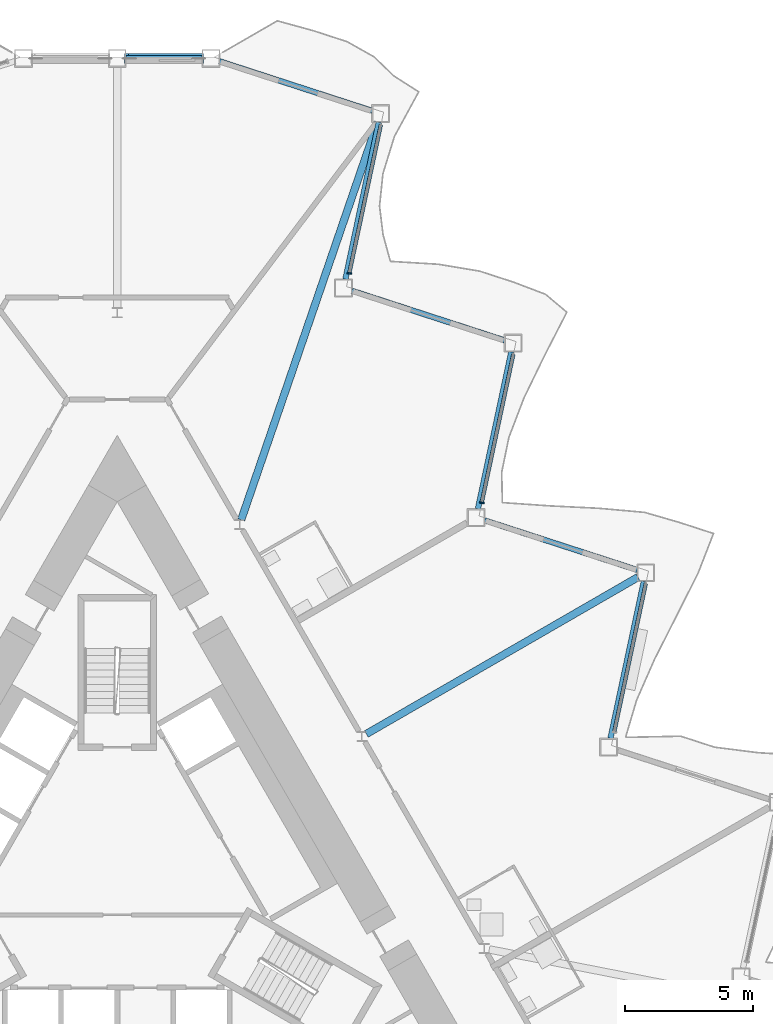
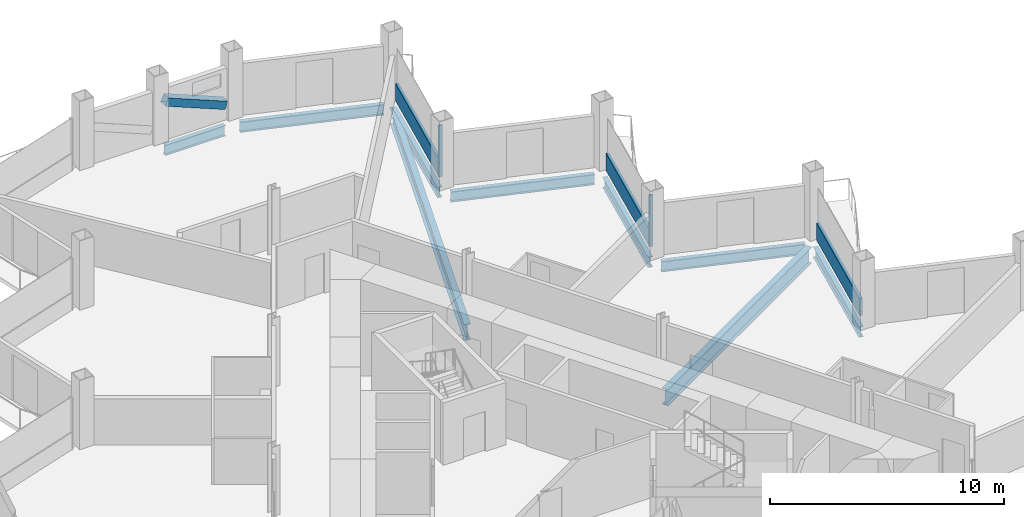
# One storey, part 9 of 24: 9 beams, 6 members, 3 elements without a shape of their own.
"""IFC4 building model written with IfcOpenShell, lengths in metres."""

from ifc_helpers import new_model, si_unit, direction, frame, origin, origin_2d, place, context, subcontext, project, spatial, rectangle, hollow_rectangle, i_section, extrude, material, layer, layer_set, material_profile, profile_set, type_object, element, aggregate, save


model = new_model("IFC4")

# Units and contexts
model_context = context("Model", 3, precision=1e-05, world=origin(), true_north=direction((0.0, 1.0)))
body_context = subcontext(model_context, "Body", "Model", "MODEL_VIEW")
ifc_project = project(units=[si_unit("LENGTHUNIT", "METRE"), si_unit("AREAUNIT", "SQUARE_METRE"), si_unit("VOLUMEUNIT", "CUBIC_METRE"), si_unit("PLANEANGLEUNIT", "RADIAN"), si_unit("MASSUNIT", "GRAM", prefix="KILO")], contexts=[model_context])

# Site, building, storey
site_placement = place(None, origin())
site = spatial("IfcSite", under=ifc_project, at=site_placement, CompositionType="ELEMENT")
building_placement = place(site_placement, origin())
building = spatial("IfcBuilding", under=site, at=building_placement, Name="Cormorant Prow Tower", CompositionType="ELEMENT")
storey_placement = place(building_placement, frame((0.0, 0.0, 274.199951171875)))
storey = spatial("IfcBuildingStorey", under=building, at=storey_placement, Name="L62", CompositionType="ELEMENT", Elevation=274.199951171875)

# Member
ifc_material_1 = material(Name="Structural steel ASTM A500 Gr C", Category="steel")
ifc_material_profile_1 = material_profile(ifc_material_1, hollow_rectangle(XDim=0.406494140625, YDim=0.406494140625, WallThickness=0.01171875, at=origin_2d()), Name="HSS16x16x1/2")
ifc_profile_set_1 = profile_set([ifc_material_profile_1], Name="Structural steel ASTM A500 Gr C")
member_type_1 = type_object("IfcMemberType", Name="Chamfer brace HSS16x16x1/2", PredefinedType="BRACE", material=ifc_profile_set_1)
member_1_placement = place(storey_placement, frame((3.3046875, 32.073486328125, 0.74951171875), z_axis=(-0.925591042089, 0.0, 0.37852506232), x_axis=(0.0, -1.0, 0.0)))
element("IfcMember", 1, at=member_1_placement, inside=storey, type_object=member_type_1, Name="Chamfer brace BR2 at N00 L62", PredefinedType="BRACE", context=body_context, shape_type="SweptSolid", body=[
    extrude(hollow_rectangle(XDim=0.406494140625, YDim=0.406494140625, WallThickness=0.01171875, at=origin_2d()), origin(), (0.0, 0.0, 1.0), 3.17529296875),
])

# Curtain wall, member
ifc_material_2 = material(Name="Aluminium 6063-T6", Category="aluminium")
ifc_layer = layer(ifc_material_2, 0.179931640625)
ifc_layer_set = layer_set([ifc_layer], Name="Aluminium 6063-T6")
curtain_wall_type = type_object("IfcCurtainWallType", Name="Hotel unitised curtain wall 180", PredefinedType="NOTDEFINED", material=ifc_layer_set)
curtain_wall_1_placement = place(storey_placement, origin())
curtain_wall_1 = element("IfcCurtainWall", 2, at=curtain_wall_1_placement, inside=storey, type_object=curtain_wall_type, Name="Hotel curtain wall ENE06", PredefinedType="NOTDEFINED")
ifc_material_3 = material(Name="Aluminium 6063-T6", Category="aluminium")
ifc_material_profile_2 = material_profile(ifc_material_3, rectangle(XDim=0.179931640625, YDim=0.06005859375, at=origin_2d()), Name="Hotel mullion 60x180")
ifc_profile_set_2 = profile_set([ifc_material_profile_2], Name="Aluminium 6063-T6")
member_type_2 = type_object("IfcMemberType", Name="Hotel mullion 60x180", PredefinedType="MULLION", material=ifc_profile_set_2)
member_2_placement = place(storey_placement, frame((14.2724609375, 14.68310546875, 0.0), z_axis=(0.0, 0.0, 1.0), x_axis=(-0.978147603757, 0.207911676597, 0.0)))
member_2 = element("IfcMember", 3, at=member_2_placement, type_object=member_type_2, Name="Hotel mullion ENE06", PredefinedType="MULLION", context=body_context, shape_type="SweptSolid", body=[
    extrude(rectangle(XDim=0.179931640625, YDim=0.06005859375, at=origin_2d()), origin(), (0.0, 0.0, 1.0), 2.700927734375),
])

curtain_wall_2_placement = place(storey_placement, origin())
curtain_wall_2 = element("IfcCurtainWall", 4, at=curtain_wall_2_placement, inside=storey, type_object=curtain_wall_type, Name="Hotel curtain wall ENE08", PredefinedType="NOTDEFINED")
member_3_placement = place(storey_placement, frame((9.087158203125, 23.664306640625, 0.0), z_axis=(0.0, 0.0, 1.0), x_axis=(-0.978147597562, 0.207911705739, 0.0)))
member_3 = element("IfcMember", 5, at=member_3_placement, type_object=member_type_2, Name="Hotel mullion ENE08", PredefinedType="MULLION", context=body_context, shape_type="SweptSolid", body=[
    extrude(rectangle(XDim=0.179931640625, YDim=0.06005859375, at=origin_2d()), origin(), (0.0, 0.0, 1.0), 2.700927734375),
])

curtain_wall_3_placement = place(storey_placement, origin())
curtain_wall_3 = element("IfcCurtainWall", 6, at=curtain_wall_3_placement, inside=storey, type_object=curtain_wall_type, Name="Hotel curtain wall ENE04", PredefinedType="NOTDEFINED")
ifc_material_4 = material(Name="Terracotta", Category="masonry")
ifc_material_profile_3 = material_profile(ifc_material_4, rectangle(XDim=0.139892578125, YDim=0.89990234375, at=origin_2d()), Name="Hotel terracotta spandrel rail 140x900")
ifc_profile_set_3 = profile_set([ifc_material_profile_3], Name="Terracotta")
member_type_3 = type_object("IfcMemberType", Name="Hotel terracotta spandrel rail 140x900", PredefinedType="USERDEFINED", material=ifc_profile_set_3)
member_4_placement = place(storey_placement, frame((19.4638671875, 5.7314453125, 0.449951171875), z_axis=(0.207888372535, 0.978152556897, 0.0), x_axis=(-0.978152556897, 0.207888372535, 0.0)))
member_4 = element("IfcMember", 7, at=member_4_placement, type_object=member_type_3, Name="Hotel spandrel rail ENE04", ObjectType="TRANSOM", PredefinedType="USERDEFINED", context=body_context, shape_type="SweptSolid", body=[
    extrude(rectangle(XDim=0.139892578125, YDim=0.89990234375, at=origin_2d()), origin(), (0.0, 0.0, 1.0), 5.915283203125),
])
aggregate(curtain_wall_3, [member_4])

# Member
member_5_placement = place(storey_placement, frame((14.278564453125, 14.712646484375, 0.449951171875), z_axis=(0.207936254953, 0.978142379143, 0.0), x_axis=(-0.978142379143, 0.207936254953, 0.0)))
member_5 = element("IfcMember", 8, at=member_5_placement, type_object=member_type_3, Name="Hotel spandrel rail ENE06", ObjectType="TRANSOM", PredefinedType="USERDEFINED", context=body_context, shape_type="SweptSolid", body=[
    extrude(rectangle(XDim=0.139892578125, YDim=0.89990234375, at=origin_2d()), origin(), (0.0, 0.0, 1.0), 5.915283203125),
])

aggregate(curtain_wall_1, [member_2, member_5])

member_6_placement = place(storey_placement, frame((9.093505859375, 23.693603515625, 0.449951171875), z_axis=(0.207888372535, 0.978152556897, 0.0), x_axis=(-0.978152556897, 0.207888372535, 0.0)))
member_6 = element("IfcMember", 9, at=member_6_placement, type_object=member_type_3, Name="Hotel spandrel rail ENE08", ObjectType="TRANSOM", PredefinedType="USERDEFINED", context=body_context, shape_type="SweptSolid", body=[
    extrude(rectangle(XDim=0.139892578125, YDim=0.89990234375, at=origin_2d()), origin(), (0.0, 0.0, 1.0), 5.915283203125),
])

aggregate(curtain_wall_2, [member_3, member_6])

# Beams
ifc_material_5 = material(Name="Structural steel ASTM A992 Gr 50", Category="steel")
ifc_material_profile_4 = material_profile(ifc_material_5, i_section(OverallWidth=0.29296875, OverallDepth=0.845703125, WebThickness=0.015380859375, FlangeThickness=0.0244140625, at=origin_2d()), Name="W33x141")
ifc_profile_set_4 = profile_set([ifc_material_profile_4], Name="Structural steel ASTM A992 Gr 50")
beam_type_1 = type_object("IfcBeamType", Name="Radial floor beam W33x141", PredefinedType="BEAM", material=ifc_profile_set_4)
beam_1_placement = place(storey_placement, frame((9.751220703125, 5.6298828125, -0.77294921875), z_axis=(0.866021995826, 0.500005902711, 0.0), x_axis=(-0.500005902711, 0.866021995826, 0.0)))
element("IfcBeam", 10, at=beam_1_placement, inside=storey, type_object=beam_type_1, Name="Radial floor beam FB2 11 L62", PredefinedType="BEAM", context=body_context, shape_type="SweptSolid", body=[
    extrude(i_section(OverallWidth=0.29296875, OverallDepth=0.845703125, WebThickness=0.015380859375, FlangeThickness=0.0244140625, at=origin_2d()), origin(), (0.0, 0.0, 1.0), 12.277099609375),
])
beam_2_placement = place(storey_placement, frame((4.85400390625, 14.013916015625, -0.77294921875), z_axis=(0.324535507117, 0.945873514071, 0.0), x_axis=(-0.945873514071, 0.324535507117, 0.0)))
element("IfcBeam", 11, at=beam_2_placement, inside=storey, type_object=beam_type_1, Name="Radial floor beam FB2 12 L62", PredefinedType="BEAM", context=body_context, shape_type="SweptSolid", body=[
    extrude(i_section(OverallWidth=0.29296875, OverallDepth=0.845703125, WebThickness=0.015380859375, FlangeThickness=0.0244140625, at=origin_2d()), origin(), (0.0, 0.0, 1.0), 16.462158203125),
])
ifc_material_6 = material(Name="Structural steel ASTM A992 Gr 50", Category="steel")
ifc_material_profile_5 = material_profile(ifc_material_6, i_section(OverallWidth=0.2138671875, OverallDepth=0.549072265625, WebThickness=0.0146484375, FlangeThickness=0.023681640625, at=origin_2d()), Name="W21x93")
ifc_profile_set_5 = profile_set([ifc_material_profile_5], Name="Structural steel ASTM A992 Gr 50")
beam_type_2 = type_object("IfcBeamType", Name="Spandrel beam W21x93", PredefinedType="SPANDREL", material=ifc_profile_set_5)
beam_3_placement = place(storey_placement, frame((19.307861328125, 5.456787109375, -0.62451171875), z_axis=(0.207933593793, 0.978142944856, 0.0), x_axis=(-0.978142944856, 0.207933593793, 0.0)))
element("IfcBeam", 12, at=beam_3_placement, inside=storey, type_object=beam_type_2, Name="Spandrel beam SB2 ENE04-ENE05 L62", PredefinedType="SPANDREL", context=body_context, shape_type="SweptSolid", body=[
    extrude(i_section(OverallWidth=0.2138671875, OverallDepth=0.549072265625, WebThickness=0.0146484375, FlangeThickness=0.023681640625, at=origin_2d()), origin(), (0.0, 0.0, 1.0), 6.281494140625),
])
beam_4_placement = place(storey_placement, frame((20.353759765625, 12.051513671875, -0.62451171875), z_axis=(-0.951050348284, 0.309035976918, 0.0), x_axis=(-0.309035976918, -0.951050348284, 0.0)))
element("IfcBeam", 13, at=beam_4_placement, inside=storey, type_object=beam_type_2, Name="Spandrel beam SB2 ENE05-ENE06 L62", PredefinedType="SPANDREL", context=body_context, shape_type="SweptSolid", body=[
    extrude(i_section(OverallWidth=0.2138671875, OverallDepth=0.549072265625, WebThickness=0.0146484375, FlangeThickness=0.023681640625, at=origin_2d()), origin(), (0.0, 0.0, 1.0), 6.28125),
])
beam_5_placement = place(storey_placement, frame((14.11962890625, 14.443115234375, -0.62451171875), z_axis=(0.207933593793, 0.978142944856, 0.0), x_axis=(-0.978142944856, 0.207933593793, 0.0)))
element("IfcBeam", 14, at=beam_5_placement, inside=storey, type_object=beam_type_2, Name="Spandrel beam SB2 ENE06-ENE07 L62", PredefinedType="SPANDREL", context=body_context, shape_type="SweptSolid", body=[
    extrude(i_section(OverallWidth=0.2138671875, OverallDepth=0.549072265625, WebThickness=0.0146484375, FlangeThickness=0.023681640625, at=origin_2d()), origin(), (0.0, 0.0, 1.0), 6.281494140625),
])
beam_6_placement = place(storey_placement, frame((15.16552734375, 21.037841796875, -0.62451171875), z_axis=(-0.951050348284, 0.309035976918, 0.0), x_axis=(-0.309035976918, -0.951050348284, 0.0)))
element("IfcBeam", 15, at=beam_6_placement, inside=storey, type_object=beam_type_2, Name="Spandrel beam SB2 ENE07-ENE08 L62", PredefinedType="SPANDREL", context=body_context, shape_type="SweptSolid", body=[
    extrude(i_section(OverallWidth=0.2138671875, OverallDepth=0.549072265625, WebThickness=0.0146484375, FlangeThickness=0.023681640625, at=origin_2d()), origin(), (0.0, 0.0, 1.0), 6.28125),
])
for number, where, z_axis, x_axis, name in (
    (16, (8.931396484375, 23.429443359375, -0.62451171875), (0.207896407679, 0.97815084914, 0.0), (-0.97815084914, 0.207896407679, 0.0), "Spandrel beam SB2 ENE08-ENE09 L62"),
    (17, (9.977294921875, 30.024169921875, -0.62451171875), (-0.951054060056, 0.309024553801, 0.0), (-0.309024553801, -0.951054060056, 0.0), "Spandrel beam SB2 ENE09-N00 L62"),
):
    element("IfcBeam", number, at=place(storey_placement, frame(where, z_axis=z_axis, x_axis=x_axis)), inside=storey, type_object=beam_type_2, Name=name, PredefinedType="SPANDREL", context=body_context, shape_type="SweptSolid", body=[
        extrude(i_section(OverallWidth=0.2138671875, OverallDepth=0.549072265625, WebThickness=0.0146484375, FlangeThickness=0.023681640625, at=origin_2d()), origin(), (0.0, 0.0, 1.0), 6.281494140625),
    ])
beam_7_placement = place(storey_placement, frame((3.3203125, 32.073486328125, -0.62451171875), z_axis=(-1.0, 0.0, 0.0), x_axis=(0.0, -1.0, 0.0)))
element("IfcBeam", 18, at=beam_7_placement, inside=storey, type_object=beam_type_2, Name="Spandrel beam SB2 N00-N01 L62", PredefinedType="SPANDREL", context=body_context, shape_type="SweptSolid", body=[
    extrude(i_section(OverallWidth=0.2138671875, OverallDepth=0.549072265625, WebThickness=0.0146484375, FlangeThickness=0.023681640625, at=origin_2d()), origin(), (0.0, 0.0, 1.0), 2.97021484375),
])

save(model, "model.ifc")
